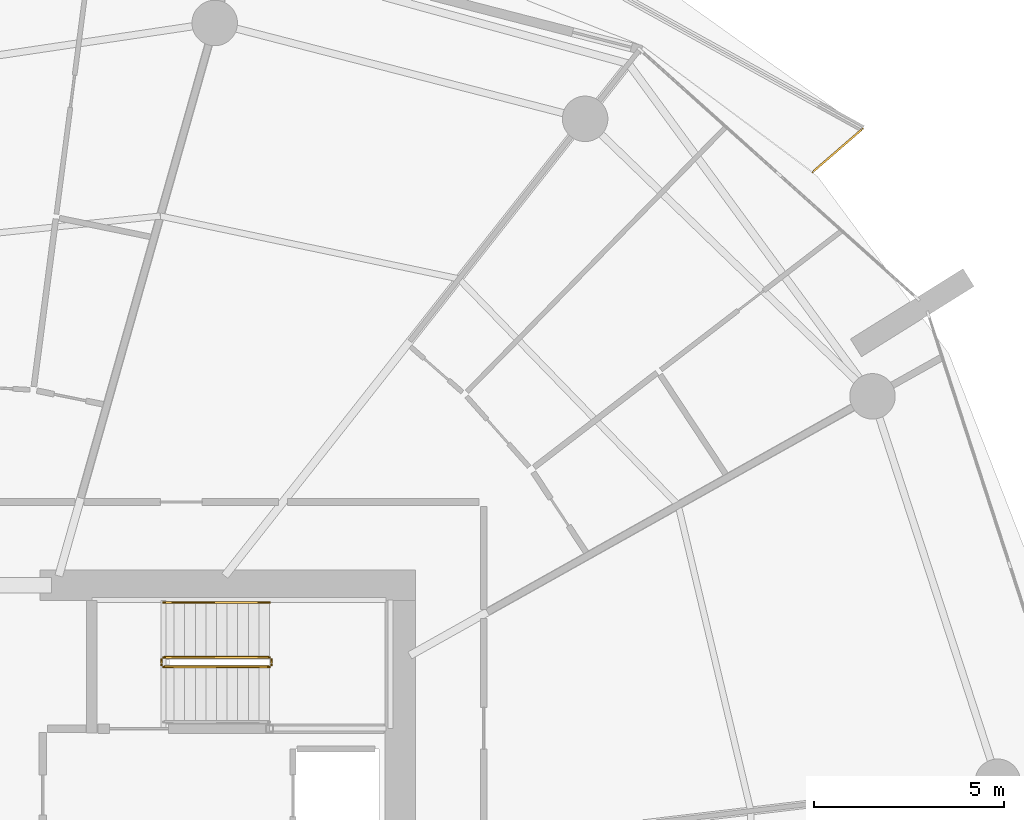
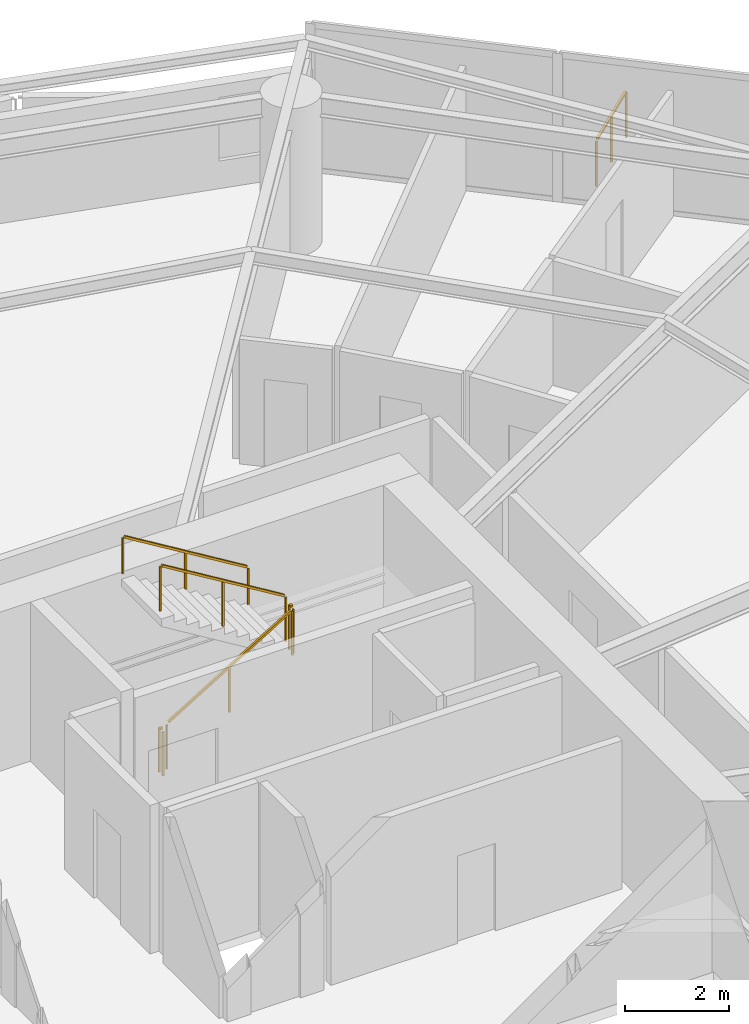
# One storey, part 22 of 23: 6 railings.
"""IFC4 building model written with IfcOpenShell, lengths in metres."""

from ifc_helpers import new_model, si_unit, direction, frame, origin, origin_2d, place, context, subcontext, project, spatial, rectangle, extrude, material, type_object, element, save


model = new_model("IFC4")

# Units and contexts
model_context = context("Model", 3, precision=1e-05, world=origin(), true_north=direction((0.0, 1.0)))
body_context = subcontext(model_context, "Body", "Model", "MODEL_VIEW")
ifc_project = project(units=[si_unit("LENGTHUNIT", "METRE"), si_unit("AREAUNIT", "SQUARE_METRE"), si_unit("VOLUMEUNIT", "CUBIC_METRE"), si_unit("PLANEANGLEUNIT", "RADIAN"), si_unit("MASSUNIT", "GRAM", prefix="KILO")], contexts=[model_context])

# Site, building, storey
site_placement = place(None, origin())
site = spatial("IfcSite", under=ifc_project, at=site_placement, CompositionType="ELEMENT")
building_placement = place(site_placement, origin())
building = spatial("IfcBuilding", under=site, at=building_placement, Name="Kazma Halo Residences", CompositionType="ELEMENT")
storey_placement = place(building_placement, frame((0.0, 0.0, 86.39990234375)))
storey = spatial("IfcBuildingStorey", under=building, at=storey_placement, Name="L21", CompositionType="ELEMENT", Elevation=86.39990234375)

# Railings
ifc_material_1 = material(Name="Aluminium AW-6063 T6 Brushed Cap Rail", Category="aluminium")
railing_type_1 = type_object("IfcRailingType", Name="RLG-BAL-CAP-1120", PredefinedType="BALUSTRADE", material=ifc_material_1)
railing_1_placement = place(storey_placement, frame((70.323974609375, 61.303466796875, 0.0)))
element("IfcRailing", 1, at=railing_1_placement, inside=storey, type_object=railing_type_1, Name="L21 NE wave balcony guard 1", PredefinedType="BALUSTRADE", context=body_context, shape_type="SweptSolid", body=[
    extrude(rectangle(XDim=0.050048828125, YDim=0.050048828125, at=origin_2d()), frame((0.0322265625, 0.02783203125, 1.09521484375), z_axis=(0.756376264317, 0.654136795157, 0.0), x_axis=(-0.654136795157, 0.756376264317, 0.0)), (0.0, 0.0, 1.0), 1.660400390625),
    extrude(rectangle(XDim=0.0400390625, YDim=0.0400390625, at=origin_2d()), origin(), (0.0, 0.0, 1.0), 1.05810546875),
    extrude(rectangle(XDim=0.0400390625, YDim=0.0400390625, at=origin_2d()), frame((0.66015625, 0.57080078125, 0.0)), (0.0, 0.0, 1.0), 1.05810546875),
    extrude(rectangle(XDim=0.0400390625, YDim=0.0400390625, at=origin_2d()), frame((1.3203125, 1.141845703125, 0.0)), (0.0, 0.0, 1.0), 1.05810546875),
])
ifc_material_2 = material(Name="Painted Steel S355", Category="steel")
railing_type_2 = type_object("IfcRailingType", Name="RLG-STAIR-GRD-1100", PredefinedType="GUARDRAIL", material=ifc_material_2)
railing_2_placement = place(storey_placement, frame((53.199951171875, 48.25, 0.170654296875)))
element("IfcRailing", 2, at=railing_2_placement, inside=storey, type_object=railing_type_2, Name="L21 ST-02 stair guard 1", PredefinedType="GUARDRAIL", context=body_context, shape_type="SweptSolid", body=[
    extrude(rectangle(XDim=0.050048828125, YDim=0.050048828125, at=origin_2d()), frame((0.036376953125, 0.0, 1.09716796875), z_axis=(0.854202870247, 0.0, 0.519939858505), x_axis=(0.0, 1.0, 0.0)), (0.0, 0.0, 1.0), 3.19287109375),
    extrude(rectangle(XDim=0.0400390625, YDim=0.0400390625, at=origin_2d()), origin(), (0.0, 0.0, 1.0), 1.0380859375),
    extrude(rectangle(XDim=0.0400390625, YDim=0.0400390625, at=origin_2d()), frame((1.39990234375, 0.0, 0.85205078125)), (0.0, 0.0, 1.0), 1.0380859375),
    extrude(rectangle(XDim=0.0400390625, YDim=0.0400390625, at=origin_2d()), frame((2.800048828125, 0.0, 1.704345703125)), (0.0, 0.0, 1.0), 1.0380859375),
])
railing_3_placement = place(storey_placement, frame((56.050048828125, 48.300048828125, 1.875)))
element("IfcRailing", 3, at=railing_3_placement, inside=storey, type_object=railing_type_2, Name="L21 ST-02 stair guard 2", PredefinedType="GUARDRAIL", context=body_context, shape_type="SweptSolid", body=[
    extrude(rectangle(XDim=0.050048828125, YDim=0.050048828125, at=origin_2d()), frame((0.0, 0.04248046875, 1.0751953125), z_axis=(0.0, 1.0, 0.0), x_axis=(-1.0, 0.0, 0.0)), (0.0, 0.0, 1.0), 0.06494140625),
    extrude(rectangle(XDim=0.0400390625, YDim=0.0400390625, at=origin_2d()), origin(), (0.0, 0.0, 1.0), 1.0380859375),
    extrude(rectangle(XDim=0.0400390625, YDim=0.0400390625, at=origin_2d()), frame((0.0, 0.14990234375, 0.0)), (0.0, 0.0, 1.0), 1.0380859375),
])
railing_4_placement = place(storey_placement, frame((56.0, 48.5, 2.045654296875)))
element("IfcRailing", 4, at=railing_4_placement, inside=storey, type_object=railing_type_2, Name="L21 ST-02 stair guard 3", PredefinedType="GUARDRAIL", context=body_context, shape_type="SweptSolid", body=[
    extrude(rectangle(XDim=0.050048828125, YDim=0.050048828125, at=origin_2d()), frame((-0.036376953125, 0.0, 1.09716796875), z_axis=(-0.854202870247, 0.0, 0.519939858505), x_axis=(0.0, -1.0, 0.0)), (0.0, 0.0, 1.0), 3.19287109375),
    extrude(rectangle(XDim=0.0400390625, YDim=0.0400390625, at=origin_2d()), origin(), (0.0, 0.0, 1.0), 1.0380859375),
    extrude(rectangle(XDim=0.0400390625, YDim=0.0400390625, at=origin_2d()), frame((-1.39990234375, 0.0, 0.85205078125)), (0.0, 0.0, 1.0), 1.0380859375),
    extrude(rectangle(XDim=0.0400390625, YDim=0.0400390625, at=origin_2d()), frame((-2.800048828125, 0.0, 1.704345703125)), (0.0, 0.0, 1.0), 1.0380859375),
])
railing_5_placement = place(storey_placement, frame((53.14990234375, 48.300048828125, 0.0)))
element("IfcRailing", 5, at=railing_5_placement, inside=storey, type_object=railing_type_2, Name="L21 ST-02 stair guard 4", PredefinedType="GUARDRAIL", context=body_context, shape_type="SweptSolid", body=[
    extrude(rectangle(XDim=0.050048828125, YDim=0.050048828125, at=origin_2d()), frame((0.0, 0.04248046875, 1.0751953125), z_axis=(0.0, 1.0, 0.0), x_axis=(-1.0, 0.0, 0.0)), (0.0, 0.0, 1.0), 0.06494140625),
    extrude(rectangle(XDim=0.0400390625, YDim=0.0400390625, at=origin_2d()), origin(), (0.0, 0.0, 1.0), 1.0380859375),
    extrude(rectangle(XDim=0.0400390625, YDim=0.0400390625, at=origin_2d()), frame((0.0, 0.14990234375, 0.0)), (0.0, 0.0, 1.0), 1.0380859375),
])
ifc_material_3 = material(Name="Brushed Stainless Steel", Category="steel")
railing_type_3 = type_object("IfcRailingType", Name="RLG-STAIR-HND-900", PredefinedType="HANDRAIL", material=ifc_material_3)
railing_6_placement = place(storey_placement, frame((56.0, 49.949951171875, 2.045654296875)))
element("IfcRailing", 6, at=railing_6_placement, inside=storey, type_object=railing_type_3, Name="L21 ST-02 stair handrail 2", PredefinedType="HANDRAIL", context=body_context, shape_type="SweptSolid", body=[
    extrude(rectangle(XDim=0.050048828125, YDim=0.050048828125, at=origin_2d()), frame((-0.036376953125, 0.0, 0.89697265625), z_axis=(-0.854202870247, 0.0, 0.519939858505), x_axis=(0.0, -1.0, 0.0)), (0.0, 0.0, 1.0), 3.19287109375),
    extrude(rectangle(XDim=0.0400390625, YDim=0.0400390625, at=origin_2d()), origin(), (0.0, 0.0, 1.0), 0.837890625),
    extrude(rectangle(XDim=0.0400390625, YDim=0.0400390625, at=origin_2d()), frame((-1.39990234375, 0.0, 0.85205078125)), (0.0, 0.0, 1.0), 0.837890625),
    extrude(rectangle(XDim=0.0400390625, YDim=0.0400390625, at=origin_2d()), frame((-2.800048828125, 0.0, 1.704345703125)), (0.0, 0.0, 1.0), 0.837890625),
])

save(model, "model.ifc")
